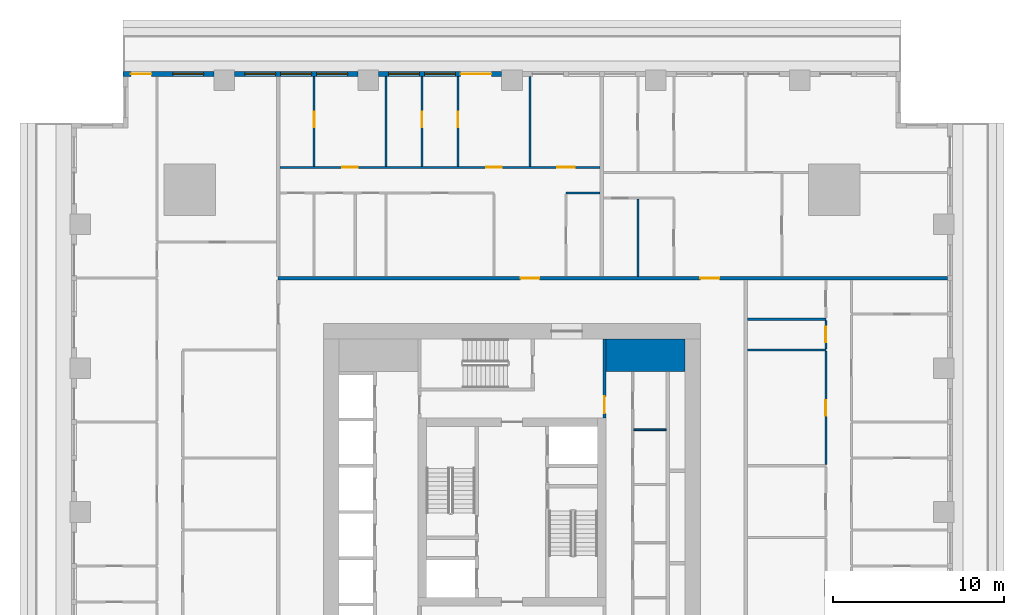
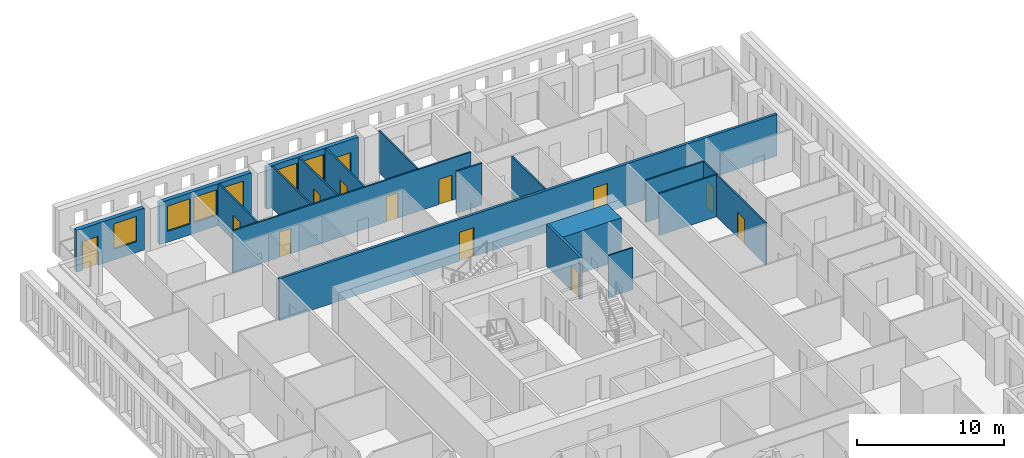
# One storey, part 8 of 15: 19 walls, 13 doors, 6 windows, 19 openings.
"""IFC4 building model written with IfcOpenShell, lengths in metres."""

from ifc_helpers import new_model, si_unit, direction, frame, frame_2d, origin, place, context, subcontext, project, spatial, rectangle, extrude, material, layer, layer_set, type_object, element, fill, save


model = new_model("IFC4")

# Units and contexts
model_context = context("Model", 3, precision=1e-05, world=origin(), true_north=direction((0.0, 1.0)))
body_context = subcontext(model_context, "Body", "Model", "MODEL_VIEW")
ifc_project = project(units=[si_unit("LENGTHUNIT", "METRE"), si_unit("AREAUNIT", "SQUARE_METRE"), si_unit("VOLUMEUNIT", "CUBIC_METRE"), si_unit("PLANEANGLEUNIT", "RADIAN"), si_unit("MASSUNIT", "GRAM", prefix="KILO")], contexts=[model_context])

# Site, building, storey
site_placement = place(None, origin())
site = spatial("IfcSite", under=ifc_project, at=site_placement, CompositionType="ELEMENT")
building_placement = place(site_placement, origin())
building = spatial("IfcBuilding", under=site, at=building_placement, Name="Khepri Terraces", CompositionType="ELEMENT")
storey_placement = place(building_placement, frame((0.0, 0.0, 38.699951171875)))
storey = spatial("IfcBuildingStorey", under=building, at=storey_placement, Name="L08", CompositionType="ELEMENT", Elevation=38.699951171875)

# Walls
ifc_material_1 = material(Name="Concrete C80/95", Category="concrete")
ifc_layer_1 = layer(ifc_material_1, 1.89990234375, Name="Concrete C80/95", Category="concrete")
ifc_layer_set_1 = layer_set([ifc_layer_1], Name="Concrete C80/95")
wall_type_1 = type_object("IfcWallType", Name="Core wall 1900 C80/95", PredefinedType="SHEAR", material=ifc_layer_set_1)
wall_1_placement = place(storey_placement, frame((5.5, 9.14990234375, 0.0), z_axis=(0.0, 0.0, 1.0), x_axis=(1.0, 0.0, 0.0)))
element("IfcWall", 1, at=wall_1_placement, inside=storey, type_object=wall_type_1, Name="Core wall PR04 L08", PredefinedType="SHEAR", context=body_context, shape_type="SweptSolid", body=[
    extrude(rectangle(XDim=4.60009765625, YDim=1.89990234375, at=frame_2d((2.300048828125, 0.0))), origin(), (0.0, 0.0, 1.0), 3.47998046875),
])
ifc_material_2 = material(Name="Fire-rated gypsum board partition")
ifc_layer_2 = layer(ifc_material_2, 0.10009765625, Name="Fire-rated gypsum board partition")
ifc_layer_set_2 = layer_set([ifc_layer_2], Name="Fire-rated gypsum board partition")
wall_type_2 = type_object("IfcWallType", Name="WL-CORE-PART-100", PredefinedType="PARTITIONING", material=ifc_layer_set_2)
wall_2_placement = place(storey_placement, frame((7.10009765625, 4.800048828125, 0.0), z_axis=(0.0, 0.0, 1.0), x_axis=(1.0, 0.0, 0.0)))
element("IfcWall", 2, at=wall_2_placement, inside=storey, type_object=wall_type_2, Name="Core partition PT07 L08", PredefinedType="PARTITIONING", context=body_context, shape_type="SweptSolid", body=[
    extrude(rectangle(XDim=1.89990234375, YDim=0.10009765625, at=frame_2d((0.949951171875, 0.0))), origin(), (0.0, 0.0, 1.0), 3.47998046875),
])

# Wall, opening, door
ifc_layer_3 = layer(ifc_material_2, 0.199951171875, Name="Fire-rated gypsum board partition")
ifc_layer_set_3 = layer_set([ifc_layer_3], Name="Fire-rated gypsum board partition")
wall_type_3 = type_object("IfcWallType", Name="WL-CORE-PART-200", PredefinedType="PARTITIONING", material=ifc_layer_set_3)
wall_3_placement = place(storey_placement, frame((5.39990234375, 5.5, 0.0), z_axis=(0.0, 0.0, 1.0), x_axis=(0.0, 1.0, 0.0)))
wall_3 = element("IfcWall", 3, at=wall_3_placement, inside=storey, type_object=wall_type_3, Name="Core partition PT09 L08", PredefinedType="PARTITIONING", context=body_context, shape_type="SweptSolid", body=[
    extrude(rectangle(XDim=4.60009765625, YDim=0.199951171875, at=frame_2d((2.300048828125, 0.0))), origin(), (0.0, 0.0, 1.0), 3.47998046875),
])
opening_1_placement = place(wall_3_placement, frame((0.25, 0.0, 0.0)))
opening_1 = element("IfcOpeningElement", 4, at=opening_1_placement, cuts=wall_3, Name="Opening L08-C17", PredefinedType="OPENING", context=body_context, shape_type="SweptSolid", body=[
    extrude(rectangle(XDim=1.0, YDim=2.10009765625, at=frame_2d((0.5, 1.050048828125))), frame((0.0, 0.10986328125, 0.0), z_axis=(0.0, -1.0, 0.0), x_axis=(1.0, 0.0, 0.0)), (0.0, 0.0, 1.0), 0.219970703125),
])
ifc_material_3 = material(Name="Painted steel", Category="steel")
door_type_1 = type_object("IfcDoorType", Name="DR-CORE-LOBBY-1000", OperationType="NOTDEFINED", PredefinedType="DOOR", material=ifc_material_3)
door_1_placement = place(opening_1_placement, origin())
door_1 = element("IfcDoor", 5, at=door_1_placement, inside=storey, type_object=door_type_1, Name="Lobby door L08-C17", OperationType="SINGLE_SWING_LEFT", OverallHeight=2.10009765625, OverallWidth=1.0, PredefinedType="DOOR", context=body_context, shape_type="SweptSolid", body=[
    extrude(rectangle(XDim=1.0, YDim=2.10009765625, at=frame_2d((0.5, 1.050048828125))), frame((0.0, 0.02490234375, 0.0), z_axis=(0.0, -1.0, 0.0), x_axis=(1.0, 0.0, 0.0)), (0.0, 0.0, 1.0), 0.050048828125),
])
fill(opening_1, door_1)

# Wall, openings, doors
ifc_material_4 = material(Name="Fire-rated gypsum plasterboard partition, mineral wool")
ifc_layer_4 = layer(ifc_material_4, 0.199951171875, Name="Fire-rated gypsum plasterboard partition, mineral wool")
ifc_layer_set_4 = layer_set([ifc_layer_4], Name="Fire-rated gypsum plasterboard partition, mineral wool")
wall_type_4 = type_object("IfcWallType", Name="WL-CORR-200", PredefinedType="PARTITIONING", material=ifc_layer_set_4)
wall_4_placement = place(storey_placement, frame((-13.64990234375, 13.64990234375, 0.0), z_axis=(0.0, 0.0, 1.0), x_axis=(1.0, 0.0, 0.0)))
wall_4 = element("IfcWall", 6, at=wall_4_placement, inside=storey, type_object=wall_type_4, Name="Partition P-074 L08", PredefinedType="PARTITIONING", context=body_context, shape_type="SweptSolid", body=[
    extrude(rectangle(XDim=39.06982421875, YDim=0.199951171875, at=frame_2d((19.534912109375, 0.0))), origin(), (0.0, 0.0, 1.0), 3.47998046875),
])
opening_2_placement = place(wall_4_placement, frame((24.64990234375, 0.0, 0.0)))
opening_2 = element("IfcOpeningElement", 7, at=opening_2_placement, cuts=wall_4, Name="Opening D1", PredefinedType="OPENING", context=body_context, shape_type="SweptSolid", body=[
    extrude(rectangle(XDim=1.10009765625, YDim=2.39990234375, at=frame_2d((0.550048828125, 1.199951171875))), frame((0.0, 0.10986328125, 0.0), z_axis=(0.0, -1.0, 0.0), x_axis=(1.0, 0.0, 0.0)), (0.0, 0.0, 1.0), 0.219970703125),
])
opening_3_placement = place(wall_4_placement, frame((14.14990234375, 0.0, 0.0)))
opening_3 = element("IfcOpeningElement", 8, at=opening_3_placement, cuts=wall_4, Name="Opening D1", PredefinedType="OPENING", context=body_context, shape_type="SweptSolid", body=[
    extrude(rectangle(XDim=1.10009765625, YDim=2.39990234375, at=frame_2d((0.550048828125, 1.199951171875))), frame((0.0, 0.10986328125, 0.0), z_axis=(0.0, -1.0, 0.0), x_axis=(1.0, 0.0, 0.0)), (0.0, 0.0, 1.0), 0.219970703125),
])
ifc_material_5 = material(Name="Solid-core timber door leaf, flat entrance door", Category="wood")
door_type_2 = type_object("IfcDoorType", Name="DR-ENT-1100", OperationType="NOTDEFINED", PredefinedType="DOOR", material=ifc_material_5)
door_2_placement = place(opening_2_placement, origin())
door_2 = element("IfcDoor", 9, at=door_2_placement, inside=storey, type_object=door_type_2, Name="Flat C1 entrance door", OperationType="SINGLE_SWING_RIGHT", OverallHeight=2.39990234375, OverallWidth=1.10009765625, PredefinedType="DOOR", context=body_context, shape_type="SweptSolid", body=[
    extrude(rectangle(XDim=1.10009765625, YDim=2.39990234375, at=frame_2d((0.550048828125, 1.199951171875))), frame((0.0, 0.02490234375, 0.0), z_axis=(0.0, -1.0, 0.0), x_axis=(1.0, 0.0, 0.0)), (0.0, 0.0, 1.0), 0.050048828125),
])
fill(opening_2, door_2)
door_3_placement = place(opening_3_placement, origin())
door_3 = element("IfcDoor", 10, at=door_3_placement, inside=storey, type_object=door_type_2, Name="Flat C2 entrance door", OperationType="SINGLE_SWING_LEFT", OverallHeight=2.39990234375, OverallWidth=1.10009765625, PredefinedType="DOOR", context=body_context, shape_type="SweptSolid", body=[
    extrude(rectangle(XDim=1.10009765625, YDim=2.39990234375, at=frame_2d((0.550048828125, 1.199951171875))), frame((0.0, 0.02490234375, 0.0), z_axis=(0.0, -1.0, 0.0), x_axis=(1.0, 0.0, 0.0)), (0.0, 0.0, 1.0), 0.050048828125),
])
fill(opening_3, door_3)

# Wall, openings, door, windows
ifc_material_6 = material(Name="Precast concrete C50/60 warm stone", Category="masonry")
ifc_layer_5 = layer(ifc_material_6, 0.300048828125, Name="Precast concrete C50/60 warm stone", Category="masonry")
ifc_layer_set_5 = layer_set([ifc_layer_5], Name="Precast concrete C50/60 warm stone")
wall_type_5 = type_object("IfcWallType", Name="WL-EXT-PRECAST-300", PredefinedType="STANDARD", material=ifc_layer_set_5)
wall_5_placement = place(storey_placement, frame((-0.60009765625, 25.570068359375, 0.0), z_axis=(0.0, 0.0, 1.0), x_axis=(-1.0, 0.0, 0.0)))
wall_5 = element("IfcWall", 11, at=wall_5_placement, inside=storey, type_object=wall_type_5, Name="External wall L08 N", PredefinedType="STANDARD", context=body_context, shape_type="SweptSolid", body=[
    extrude(rectangle(XDim=7.199951171875, YDim=0.300048828125, at=frame_2d((3.60009765625, 0.0))), origin(), (0.0, 0.0, 1.0), 3.47998046875),
])
opening_4_placement = place(wall_5_placement, frame((0.60009765625, 0.0, 0.0)))
opening_4 = element("IfcOpeningElement", 12, at=opening_4_placement, cuts=wall_5, Name="Opening ED-L08-10", PredefinedType="OPENING", context=body_context, shape_type="SweptSolid", body=[
    extrude(rectangle(XDim=1.800048828125, YDim=2.39990234375, at=frame_2d((0.89990234375, 1.199951171875))), frame((0.0, 0.16015625, 0.0), z_axis=(0.0, -1.0, 0.0), x_axis=(1.0, 0.0, 0.0)), (0.0, 0.0, 1.0), 0.320068359375),
])
opening_5_placement = place(wall_5_placement, frame((2.699951171875, 0.0, 0.89990234375)))
opening_5 = element("IfcOpeningElement", 13, at=opening_5_placement, cuts=wall_5, Name="Opening W1", PredefinedType="OPENING", context=body_context, shape_type="SweptSolid", body=[
    extrude(rectangle(XDim=1.800048828125, YDim=2.10009765625, at=frame_2d((0.89990234375, 1.050048828125))), frame((0.0, 0.16015625, 0.0), z_axis=(0.0, -1.0, 0.0), x_axis=(1.0, 0.0, 0.0)), (0.0, 0.0, 1.0), 0.320068359375),
])
opening_6_placement = place(wall_5_placement, frame((4.800048828125, 0.0, 0.89990234375)))
opening_6 = element("IfcOpeningElement", 14, at=opening_6_placement, cuts=wall_5, Name="Opening W1", PredefinedType="OPENING", context=body_context, shape_type="SweptSolid", body=[
    extrude(rectangle(XDim=1.800048828125, YDim=2.10009765625, at=frame_2d((0.89990234375, 1.050048828125))), frame((0.0, 0.16015625, 0.0), z_axis=(0.0, -1.0, 0.0), x_axis=(1.0, 0.0, 0.0)), (0.0, 0.0, 1.0), 0.320068359375),
])
ifc_material_7 = material(Name="Anodised aluminium bronze glazed door", Category="aluminium")
door_type_3 = type_object("IfcDoorType", Name="DR-BAL-SLIDE-1800x2400", OperationType="NOTDEFINED", PredefinedType="DOOR", material=ifc_material_7)
door_4_placement = place(opening_4_placement, origin())
door_4 = element("IfcDoor", 15, at=door_4_placement, inside=storey, type_object=door_type_3, Name="Balcony door L08 N", OperationType="SLIDING_TO_LEFT", OverallHeight=2.39990234375, OverallWidth=1.800048828125, PredefinedType="DOOR", context=body_context, shape_type="SweptSolid", body=[
    extrude(rectangle(XDim=1.800048828125, YDim=2.39990234375, at=frame_2d((0.89990234375, 1.199951171875))), frame((0.0, 0.02490234375, 0.0), z_axis=(0.0, -1.0, 0.0), x_axis=(1.0, 0.0, 0.0)), (0.0, 0.0, 1.0), 0.050048828125),
])
fill(opening_4, door_4)
ifc_material_8 = material(Name="Clear glass", Category="glass")
window_type = type_object("IfcWindowType", Name="WIN-RES-1800x2100", PartitioningType="SINGLE_PANEL", PredefinedType="WINDOW", material=ifc_material_8)
window_1_placement = place(opening_5_placement, origin())
window_1 = element("IfcWindow", 16, at=window_1_placement, inside=storey, type_object=window_type, Name="Window L08 N", OverallHeight=2.10009765625, OverallWidth=1.800048828125, PartitioningType="SINGLE_PANEL", PredefinedType="WINDOW", context=body_context, shape_type="SweptSolid", body=[
    extrude(rectangle(XDim=1.800048828125, YDim=2.10009765625, at=frame_2d((0.89990234375, 1.050048828125))), frame((0.0, 0.030029296875, 0.0), z_axis=(0.0, -1.0, 0.0), x_axis=(1.0, 0.0, 0.0)), (0.0, 0.0, 1.0), 0.06005859375),
])
fill(opening_5, window_1)
window_2_placement = place(opening_6_placement, origin())
window_2 = element("IfcWindow", 17, at=window_2_placement, inside=storey, type_object=window_type, Name="Window L08 N", OverallHeight=2.10009765625, OverallWidth=1.800048828125, PartitioningType="SINGLE_PANEL", PredefinedType="WINDOW", context=body_context, shape_type="SweptSolid", body=[
    extrude(rectangle(XDim=1.800048828125, YDim=2.10009765625, at=frame_2d((0.89990234375, 1.050048828125))), frame((0.0, 0.030029296875, 0.0), z_axis=(0.0, -1.0, 0.0), x_axis=(1.0, 0.0, 0.0)), (0.0, 0.0, 1.0), 0.06005859375),
])
fill(opening_6, window_2)

# Wall, openings, windows
wall_6_placement = place(storey_placement, frame((-9.0, 25.570068359375, 0.0), z_axis=(0.0, 0.0, 1.0), x_axis=(-1.0, 0.0, 0.0)))
wall_6 = element("IfcWall", 18, at=wall_6_placement, inside=storey, type_object=wall_type_5, Name="External wall L08 N", PredefinedType="STANDARD", context=body_context, shape_type="SweptSolid", body=[
    extrude(rectangle(XDim=7.199951171875, YDim=0.300048828125, at=frame_2d((3.60009765625, 0.0))), origin(), (0.0, 0.0, 1.0), 3.47998046875),
])
opening_7_placement = place(wall_6_placement, frame((0.60009765625, 0.0, 0.89990234375)))
opening_7 = element("IfcOpeningElement", 19, at=opening_7_placement, cuts=wall_6, Name="Opening W1", PredefinedType="OPENING", context=body_context, shape_type="SweptSolid", body=[
    extrude(rectangle(XDim=1.800048828125, YDim=2.10009765625, at=frame_2d((0.89990234375, 1.050048828125))), frame((0.0, 0.16015625, 0.0), z_axis=(0.0, -1.0, 0.0), x_axis=(1.0, 0.0, 0.0)), (0.0, 0.0, 1.0), 0.320068359375),
])
opening_8_placement = place(wall_6_placement, frame((2.699951171875, 0.0, 0.89990234375)))
opening_8 = element("IfcOpeningElement", 20, at=opening_8_placement, cuts=wall_6, Name="Opening W1", PredefinedType="OPENING", context=body_context, shape_type="SweptSolid", body=[
    extrude(rectangle(XDim=1.800048828125, YDim=2.10009765625, at=frame_2d((0.89990234375, 1.050048828125))), frame((0.0, 0.16015625, 0.0), z_axis=(0.0, -1.0, 0.0), x_axis=(1.0, 0.0, 0.0)), (0.0, 0.0, 1.0), 0.320068359375),
])
opening_9_placement = place(wall_6_placement, frame((4.800048828125, 0.0, 0.89990234375)))
opening_9 = element("IfcOpeningElement", 21, at=opening_9_placement, cuts=wall_6, Name="Opening W1", PredefinedType="OPENING", context=body_context, shape_type="SweptSolid", body=[
    extrude(rectangle(XDim=1.800048828125, YDim=2.10009765625, at=frame_2d((0.89990234375, 1.050048828125))), frame((0.0, 0.16015625, 0.0), z_axis=(0.0, -1.0, 0.0), x_axis=(1.0, 0.0, 0.0)), (0.0, 0.0, 1.0), 0.320068359375),
])
window_3_placement = place(opening_7_placement, origin())
window_3 = element("IfcWindow", 22, at=window_3_placement, inside=storey, type_object=window_type, Name="Window L08 N", OverallHeight=2.10009765625, OverallWidth=1.800048828125, PartitioningType="SINGLE_PANEL", PredefinedType="WINDOW", context=body_context, shape_type="SweptSolid", body=[
    extrude(rectangle(XDim=1.800048828125, YDim=2.10009765625, at=frame_2d((0.89990234375, 1.050048828125))), frame((0.0, 0.030029296875, 0.0), z_axis=(0.0, -1.0, 0.0), x_axis=(1.0, 0.0, 0.0)), (0.0, 0.0, 1.0), 0.06005859375),
])
fill(opening_7, window_3)
window_4_placement = place(opening_8_placement, origin())
window_4 = element("IfcWindow", 23, at=window_4_placement, inside=storey, type_object=window_type, Name="Window L08 N", OverallHeight=2.10009765625, OverallWidth=1.800048828125, PartitioningType="SINGLE_PANEL", PredefinedType="WINDOW", context=body_context, shape_type="SweptSolid", body=[
    extrude(rectangle(XDim=1.800048828125, YDim=2.10009765625, at=frame_2d((0.89990234375, 1.050048828125))), frame((0.0, 0.030029296875, 0.0), z_axis=(0.0, -1.0, 0.0), x_axis=(1.0, 0.0, 0.0)), (0.0, 0.0, 1.0), 0.06005859375),
])
fill(opening_8, window_4)
window_5_placement = place(opening_9_placement, origin())
window_5 = element("IfcWindow", 24, at=window_5_placement, inside=storey, type_object=window_type, Name="Window L08 N", OverallHeight=2.10009765625, OverallWidth=1.800048828125, PartitioningType="SINGLE_PANEL", PredefinedType="WINDOW", context=body_context, shape_type="SweptSolid", body=[
    extrude(rectangle(XDim=1.800048828125, YDim=2.10009765625, at=frame_2d((0.89990234375, 1.050048828125))), frame((0.0, 0.030029296875, 0.0), z_axis=(0.0, -1.0, 0.0), x_axis=(1.0, 0.0, 0.0)), (0.0, 0.0, 1.0), 0.06005859375),
])
fill(opening_9, window_5)

# Wall, openings, door, window
wall_7_placement = place(storey_placement, frame((-17.39990234375, 25.570068359375, 0.0), z_axis=(0.0, 0.0, 1.0), x_axis=(-1.0, 0.0, 0.0)))
wall_7 = element("IfcWall", 25, at=wall_7_placement, inside=storey, type_object=wall_type_5, Name="External wall L08 N", PredefinedType="STANDARD", context=body_context, shape_type="SweptSolid", body=[
    extrude(rectangle(XDim=5.320068359375, YDim=0.300048828125, at=frame_2d((2.66015625, 0.0))), origin(), (0.0, 0.0, 1.0), 3.47998046875),
])
opening_10_placement = place(wall_7_placement, frame((0.60009765625, 0.0, 0.89990234375)))
opening_10 = element("IfcOpeningElement", 26, at=opening_10_placement, cuts=wall_7, Name="Opening W1", PredefinedType="OPENING", context=body_context, shape_type="SweptSolid", body=[
    extrude(rectangle(XDim=1.800048828125, YDim=2.10009765625, at=frame_2d((0.89990234375, 1.050048828125))), frame((0.0, 0.16015625, 0.0), z_axis=(0.0, -1.0, 0.0), x_axis=(1.0, 0.0, 0.0)), (0.0, 0.0, 1.0), 0.320068359375),
])
opening_11_placement = place(wall_7_placement, frame((3.64501953125, 0.0, 0.0)))
opening_11 = element("IfcOpeningElement", 27, at=opening_11_placement, cuts=wall_7, Name="Opening ED-L08-11", PredefinedType="OPENING", context=body_context, shape_type="SweptSolid", body=[
    extrude(rectangle(XDim=1.199951171875, YDim=2.39990234375, at=frame_2d((0.60009765625, 1.199951171875))), frame((0.0, 0.16015625, 0.0), z_axis=(0.0, -1.0, 0.0), x_axis=(1.0, 0.0, 0.0)), (0.0, 0.0, 1.0), 0.320068359375),
])
door_type_4 = type_object("IfcDoorType", Name="DR-BAL-SLIDE-1200x2400", OperationType="NOTDEFINED", PredefinedType="DOOR", material=ifc_material_7)
door_5_placement = place(opening_11_placement, origin())
door_5 = element("IfcDoor", 28, at=door_5_placement, inside=storey, type_object=door_type_4, Name="Balcony door L08 N", OperationType="SLIDING_TO_RIGHT", OverallHeight=2.39990234375, OverallWidth=1.199951171875, PredefinedType="DOOR", context=body_context, shape_type="SweptSolid", body=[
    extrude(rectangle(XDim=1.199951171875, YDim=2.39990234375, at=frame_2d((0.60009765625, 1.199951171875))), frame((0.0, 0.02490234375, 0.0), z_axis=(0.0, -1.0, 0.0), x_axis=(1.0, 0.0, 0.0)), (0.0, 0.0, 1.0), 0.050048828125),
])
fill(opening_11, door_5)
window_6_placement = place(opening_10_placement, origin())
window_6 = element("IfcWindow", 29, at=window_6_placement, inside=storey, type_object=window_type, Name="Window L08 N", OverallHeight=2.10009765625, OverallWidth=1.800048828125, PartitioningType="SINGLE_PANEL", PredefinedType="WINDOW", context=body_context, shape_type="SweptSolid", body=[
    extrude(rectangle(XDim=1.800048828125, YDim=2.10009765625, at=frame_2d((0.89990234375, 1.050048828125))), frame((0.0, 0.030029296875, 0.0), z_axis=(0.0, -1.0, 0.0), x_axis=(1.0, 0.0, 0.0)), (0.0, 0.0, 1.0), 0.06005859375),
])
fill(opening_10, window_6)

# Wall, opening, door
ifc_material_9 = material(Name="Gypsum plasterboard partition")
ifc_layer_6 = layer(ifc_material_9, 0.1201171875, Name="Gypsum plasterboard partition")
ifc_layer_set_6 = layer_set([ifc_layer_6], Name="Gypsum plasterboard partition")
wall_type_6 = type_object("IfcWallType", Name="WL-PART-120", PredefinedType="PARTITIONING", material=ifc_layer_set_6)
wall_8_placement = place(storey_placement, frame((18.320068359375, 2.760009765625, 0.0), z_axis=(0.0, 0.0, 1.0), x_axis=(0.0, 1.0, 0.0)))
wall_8 = element("IfcWall", 30, at=wall_8_placement, inside=storey, type_object=wall_type_6, Name="Partition P-057 L08", PredefinedType="PARTITIONING", context=body_context, shape_type="SweptSolid", body=[
    extrude(rectangle(XDim=6.6298828125, YDim=0.1201171875, at=frame_2d((3.31494140625, 0.0))), origin(), (0.0, 0.0, 1.0), 3.47998046875),
])
opening_12_placement = place(wall_8_placement, frame((2.864990234375, 0.0, 0.0)))
opening_12 = element("IfcOpeningElement", 31, at=opening_12_placement, cuts=wall_8, Name="Opening D3", PredefinedType="OPENING", context=body_context, shape_type="SweptSolid", body=[
    extrude(rectangle(XDim=0.89990234375, YDim=2.10009765625, at=frame_2d((0.449951171875, 1.050048828125))), frame((0.0, 0.070068359375, 0.0), z_axis=(0.0, -1.0, 0.0), x_axis=(1.0, 0.0, 0.0)), (0.0, 0.0, 1.0), 0.14013671875),
])
ifc_material_10 = material(Name="Timber door leaf", Category="wood")
door_type_5 = type_object("IfcDoorType", Name="DR-INT-900", OperationType="NOTDEFINED", PredefinedType="DOOR", material=ifc_material_10)
door_6_placement = place(opening_12_placement, origin())
door_6 = element("IfcDoor", 32, at=door_6_placement, inside=storey, type_object=door_type_5, Name="Door Staff Bedroom", OperationType="SINGLE_SWING_LEFT", OverallHeight=2.10009765625, OverallWidth=0.89990234375, PredefinedType="DOOR", context=body_context, shape_type="SweptSolid", body=[
    extrude(rectangle(XDim=0.89990234375, YDim=2.10009765625, at=frame_2d((0.449951171875, 1.050048828125))), frame((0.0, 0.02490234375, 0.0), z_axis=(0.0, -1.0, 0.0), x_axis=(1.0, 0.0, 0.0)), (0.0, 0.0, 1.0), 0.050048828125),
])
fill(opening_12, door_6)

# Wall
wall_9_placement = place(storey_placement, frame((13.75, 9.449951171875, 0.0), z_axis=(0.0, 0.0, 1.0), x_axis=(1.0, 0.0, 0.0)))
element("IfcWall", 33, at=wall_9_placement, inside=storey, type_object=wall_type_6, Name="Partition P-067 L08", PredefinedType="PARTITIONING", context=body_context, shape_type="SweptSolid", body=[
    extrude(rectangle(XDim=4.570068359375, YDim=0.1201171875, at=frame_2d((2.28515625, 0.0))), origin(), (0.0, 0.0, 1.0), 3.47998046875),
])

# Wall, opening, door
wall_10_placement = place(storey_placement, frame((18.320068359375, 9.510009765625, 0.0), z_axis=(0.0, 0.0, 1.0), x_axis=(0.0, 1.0, 0.0)))
wall_10 = element("IfcWall", 34, at=wall_10_placement, inside=storey, type_object=wall_type_6, Name="Partition P-068 L08", PredefinedType="PARTITIONING", context=body_context, shape_type="SweptSolid", body=[
    extrude(rectangle(XDim=1.679931640625, YDim=0.1201171875, at=frame_2d((0.83984375, 0.0))), origin(), (0.0, 0.0, 1.0), 3.47998046875),
])
opening_13_placement = place(wall_10_placement, frame((0.389892578125, 0.0, 0.0)))
opening_13 = element("IfcOpeningElement", 35, at=opening_13_placement, cuts=wall_10, Name="Opening D4", PredefinedType="OPENING", context=body_context, shape_type="SweptSolid", body=[
    extrude(rectangle(XDim=0.89990234375, YDim=2.10009765625, at=frame_2d((0.449951171875, 1.050048828125))), frame((0.0, 0.070068359375, 0.0), z_axis=(0.0, -1.0, 0.0), x_axis=(1.0, 0.0, 0.0)), (0.0, 0.0, 1.0), 0.14013671875),
])
ifc_material_11 = material(Name="Timber door leaf, moisture resistant", Category="wood")
door_type_6 = type_object("IfcDoorType", Name="DR-WET-900", OperationType="NOTDEFINED", PredefinedType="DOOR", material=ifc_material_11)
door_7_placement = place(opening_13_placement, origin())
door_7 = element("IfcDoor", 36, at=door_7_placement, inside=storey, type_object=door_type_6, Name="Door Guest Bathroom", OperationType="SINGLE_SWING_RIGHT", OverallHeight=2.10009765625, OverallWidth=0.89990234375, PredefinedType="DOOR", context=body_context, shape_type="SweptSolid", body=[
    extrude(rectangle(XDim=0.89990234375, YDim=2.10009765625, at=frame_2d((0.449951171875, 1.050048828125))), frame((0.0, 0.02490234375, 0.0), z_axis=(0.0, -1.0, 0.0), x_axis=(1.0, 0.0, 0.0)), (0.0, 0.0, 1.0), 0.050048828125),
])
fill(opening_13, door_7)

# Walls
wall_11_placement = place(storey_placement, frame((13.75, 11.25, 0.0), z_axis=(0.0, 0.0, 1.0), x_axis=(1.0, 0.0, 0.0)))
element("IfcWall", 37, at=wall_11_placement, inside=storey, type_object=wall_type_6, Name="Partition P-069 L08", PredefinedType="PARTITIONING", context=body_context, shape_type="SweptSolid", body=[
    extrude(rectangle(XDim=4.570068359375, YDim=0.1201171875, at=frame_2d((2.28515625, 0.0))), origin(), (0.0, 0.0, 1.0), 3.47998046875),
])
wall_12_placement = place(storey_placement, frame((7.35009765625, 13.75, 0.0), z_axis=(0.0, 0.0, 1.0), x_axis=(0.0, 1.0, 0.0)))
element("IfcWall", 38, at=wall_12_placement, inside=storey, type_object=wall_type_6, Name="Partition P-083 L08", PredefinedType="PARTITIONING", context=body_context, shape_type="SweptSolid", body=[
    extrude(rectangle(XDim=4.510009765625, YDim=0.1201171875, at=frame_2d((2.2548828125, 0.0))), origin(), (0.0, 0.0, 1.0), 3.47998046875),
])
wall_13_placement = place(storey_placement, frame((3.14990234375, 18.6201171875, 0.0), z_axis=(0.0, 0.0, 1.0), x_axis=(1.0, 0.0, 0.0)))
element("IfcWall", 39, at=wall_13_placement, inside=storey, type_object=wall_type_6, Name="Partition P-090 L08", PredefinedType="PARTITIONING", context=body_context, shape_type="SweptSolid", body=[
    extrude(rectangle(XDim=2.0, YDim=0.1201171875, at=frame_2d((1.0, 0.0))), origin(), (0.0, 0.0, 1.0), 3.47998046875),
])

# Wall, openings, doors
wall_14_placement = place(storey_placement, frame((-13.550048828125, 20.1201171875, 0.0), z_axis=(0.0, 0.0, 1.0), x_axis=(1.0, 0.0, 0.0)))
wall_14 = element("IfcWall", 40, at=wall_14_placement, inside=storey, type_object=wall_type_6, Name="Partition P-096 L08", PredefinedType="PARTITIONING", context=body_context, shape_type="SweptSolid", body=[
    extrude(rectangle(XDim=18.699951171875, YDim=0.1201171875, at=frame_2d((9.35009765625, 0.0))), origin(), (0.0, 0.0, 1.0), 3.47998046875),
])
opening_14_placement = place(wall_14_placement, frame((16.199951171875, 0.0, 0.0)))
opening_14 = element("IfcOpeningElement", 41, at=opening_14_placement, cuts=wall_14, Name="Opening D2", PredefinedType="OPENING", context=body_context, shape_type="SweptSolid", body=[
    extrude(rectangle(XDim=1.0, YDim=2.10009765625, at=frame_2d((0.5, 1.050048828125))), frame((0.0, 0.070068359375, 0.0), z_axis=(0.0, -1.0, 0.0), x_axis=(1.0, 0.0, 0.0)), (0.0, 0.0, 1.0), 0.14013671875),
])
opening_15_placement = place(wall_14_placement, frame((12.050048828125, 0.0, 0.0)))
opening_15 = element("IfcOpeningElement", 42, at=opening_15_placement, cuts=wall_14, Name="Opening D3", PredefinedType="OPENING", context=body_context, shape_type="SweptSolid", body=[
    extrude(rectangle(XDim=0.89990234375, YDim=2.10009765625, at=frame_2d((0.449951171875, 1.050048828125))), frame((0.0, 0.070068359375, 0.0), z_axis=(0.0, -1.0, 0.0), x_axis=(1.0, 0.0, 0.0)), (0.0, 0.0, 1.0), 0.14013671875),
])
opening_16_placement = place(wall_14_placement, frame((3.64990234375, 0.0, 0.0)))
opening_16 = element("IfcOpeningElement", 43, at=opening_16_placement, cuts=wall_14, Name="Opening D3", PredefinedType="OPENING", context=body_context, shape_type="SweptSolid", body=[
    extrude(rectangle(XDim=0.89990234375, YDim=2.10009765625, at=frame_2d((0.449951171875, 1.050048828125))), frame((0.0, 0.070068359375, 0.0), z_axis=(0.0, -1.0, 0.0), x_axis=(1.0, 0.0, 0.0)), (0.0, 0.0, 1.0), 0.14013671875),
])
ifc_material_12 = material(Name="Timber door leaf, living room door", Category="wood")
door_type_7 = type_object("IfcDoorType", Name="DR-INT-1000", OperationType="NOTDEFINED", PredefinedType="DOOR", material=ifc_material_12)
door_8_placement = place(opening_14_placement, origin())
door_8 = element("IfcDoor", 44, at=door_8_placement, inside=storey, type_object=door_type_7, Name="Door Sun Lounge", OperationType="SINGLE_SWING_RIGHT", OverallHeight=2.10009765625, OverallWidth=1.0, PredefinedType="DOOR", context=body_context, shape_type="SweptSolid", body=[
    extrude(rectangle(XDim=1.0, YDim=2.10009765625, at=frame_2d((0.5, 1.050048828125))), frame((0.0, 0.02490234375, 0.0), z_axis=(0.0, -1.0, 0.0), x_axis=(1.0, 0.0, 0.0)), (0.0, 0.0, 1.0), 0.050048828125),
])
fill(opening_14, door_8)
door_9_placement = place(opening_15_placement, origin())
door_9 = element("IfcDoor", 45, at=door_9_placement, inside=storey, type_object=door_type_5, Name="Door Master Bedroom", OperationType="SINGLE_SWING_RIGHT", OverallHeight=2.10009765625, OverallWidth=0.89990234375, PredefinedType="DOOR", context=body_context, shape_type="SweptSolid", body=[
    extrude(rectangle(XDim=0.89990234375, YDim=2.10009765625, at=frame_2d((0.449951171875, 1.050048828125))), frame((0.0, 0.02490234375, 0.0), z_axis=(0.0, -1.0, 0.0), x_axis=(1.0, 0.0, 0.0)), (0.0, 0.0, 1.0), 0.050048828125),
])
fill(opening_15, door_9)
door_10_placement = place(opening_16_placement, origin())
door_10 = element("IfcDoor", 46, at=door_10_placement, inside=storey, type_object=door_type_5, Name="Door Bedroom", OperationType="SINGLE_SWING_LEFT", OverallHeight=2.10009765625, OverallWidth=0.89990234375, PredefinedType="DOOR", context=body_context, shape_type="SweptSolid", body=[
    extrude(rectangle(XDim=0.89990234375, YDim=2.10009765625, at=frame_2d((0.449951171875, 1.050048828125))), frame((0.0, 0.02490234375, 0.0), z_axis=(0.0, -1.0, 0.0), x_axis=(1.0, 0.0, 0.0)), (0.0, 0.0, 1.0), 0.050048828125),
])
fill(opening_16, door_10)

# Wall, opening, door
wall_15_placement = place(storey_placement, frame((-11.550048828125, 20.179931640625, 0.0), z_axis=(0.0, 0.0, 1.0), x_axis=(0.0, 1.0, 0.0)))
wall_15 = element("IfcWall", 47, at=wall_15_placement, inside=storey, type_object=wall_type_6, Name="Partition P-097 L08", PredefinedType="PARTITIONING", context=body_context, shape_type="SweptSolid", body=[
    extrude(rectangle(XDim=5.239990234375, YDim=0.1201171875, at=frame_2d((2.6201171875, 0.0))), origin(), (0.0, 0.0, 1.0), 3.47998046875),
])
opening_17_placement = place(wall_15_placement, frame((2.2900390625, 0.0, 0.0)))
opening_17 = element("IfcOpeningElement", 48, at=opening_17_placement, cuts=wall_15, Name="Opening D4", PredefinedType="OPENING", context=body_context, shape_type="SweptSolid", body=[
    extrude(rectangle(XDim=0.89990234375, YDim=2.10009765625, at=frame_2d((0.449951171875, 1.050048828125))), frame((0.0, 0.070068359375, 0.0), z_axis=(0.0, -1.0, 0.0), x_axis=(1.0, 0.0, 0.0)), (0.0, 0.0, 1.0), 0.14013671875),
])
door_11_placement = place(opening_17_placement, origin())
door_11 = element("IfcDoor", 49, at=door_11_placement, inside=storey, type_object=door_type_6, Name="Door Bathroom", OperationType="SINGLE_SWING_RIGHT", OverallHeight=2.10009765625, OverallWidth=0.89990234375, PredefinedType="DOOR", context=body_context, shape_type="SweptSolid", body=[
    extrude(rectangle(XDim=0.89990234375, YDim=2.10009765625, at=frame_2d((0.449951171875, 1.050048828125))), frame((0.0, 0.02490234375, 0.0), z_axis=(0.0, -1.0, 0.0), x_axis=(1.0, 0.0, 0.0)), (0.0, 0.0, 1.0), 0.050048828125),
])
fill(opening_17, door_11)

# Wall
wall_16_placement = place(storey_placement, frame((-7.35009765625, 20.179931640625, 0.0), z_axis=(0.0, 0.0, 1.0), x_axis=(0.0, 1.0, 0.0)))
element("IfcWall", 50, at=wall_16_placement, inside=storey, type_object=wall_type_6, Name="Partition P-098 L08", PredefinedType="PARTITIONING", context=body_context, shape_type="SweptSolid", body=[
    extrude(rectangle(XDim=5.239990234375, YDim=0.1201171875, at=frame_2d((2.6201171875, 0.0))), origin(), (0.0, 0.0, 1.0), 3.47998046875),
])

# Wall, opening, door
wall_17_placement = place(storey_placement, frame((-5.25, 20.179931640625, 0.0), z_axis=(0.0, 0.0, 1.0), x_axis=(0.0, 1.0, 0.0)))
wall_17 = element("IfcWall", 51, at=wall_17_placement, inside=storey, type_object=wall_type_6, Name="Partition P-099 L08", PredefinedType="PARTITIONING", context=body_context, shape_type="SweptSolid", body=[
    extrude(rectangle(XDim=5.239990234375, YDim=0.1201171875, at=frame_2d((2.6201171875, 0.0))), origin(), (0.0, 0.0, 1.0), 3.47998046875),
])
opening_18_placement = place(wall_17_placement, frame((2.2900390625, 0.0, 0.0)))
opening_18 = element("IfcOpeningElement", 52, at=opening_18_placement, cuts=wall_17, Name="Opening D4", PredefinedType="OPENING", context=body_context, shape_type="SweptSolid", body=[
    extrude(rectangle(XDim=0.89990234375, YDim=2.10009765625, at=frame_2d((0.449951171875, 1.050048828125))), frame((0.0, 0.070068359375, 0.0), z_axis=(0.0, -1.0, 0.0), x_axis=(1.0, 0.0, 0.0)), (0.0, 0.0, 1.0), 0.14013671875),
])
door_12_placement = place(opening_18_placement, origin())
door_12 = element("IfcDoor", 53, at=door_12_placement, inside=storey, type_object=door_type_6, Name="Door Bathroom", OperationType="SINGLE_SWING_RIGHT", OverallHeight=2.10009765625, OverallWidth=0.89990234375, PredefinedType="DOOR", context=body_context, shape_type="SweptSolid", body=[
    extrude(rectangle(XDim=0.89990234375, YDim=2.10009765625, at=frame_2d((0.449951171875, 1.050048828125))), frame((0.0, 0.02490234375, 0.0), z_axis=(0.0, -1.0, 0.0), x_axis=(1.0, 0.0, 0.0)), (0.0, 0.0, 1.0), 0.050048828125),
])
fill(opening_18, door_12)

wall_18_placement = place(storey_placement, frame((-3.14990234375, 20.179931640625, 0.0), z_axis=(0.0, 0.0, 1.0), x_axis=(0.0, 1.0, 0.0)))
wall_18 = element("IfcWall", 54, at=wall_18_placement, inside=storey, type_object=wall_type_6, Name="Partition P-100 L08", PredefinedType="PARTITIONING", context=body_context, shape_type="SweptSolid", body=[
    extrude(rectangle(XDim=5.239990234375, YDim=0.1201171875, at=frame_2d((2.6201171875, 0.0))), origin(), (0.0, 0.0, 1.0), 3.47998046875),
])
opening_19_placement = place(wall_18_placement, frame((2.2900390625, 0.0, 0.0)))
opening_19 = element("IfcOpeningElement", 55, at=opening_19_placement, cuts=wall_18, Name="Opening D3", PredefinedType="OPENING", context=body_context, shape_type="SweptSolid", body=[
    extrude(rectangle(XDim=0.89990234375, YDim=2.10009765625, at=frame_2d((0.449951171875, 1.050048828125))), frame((0.0, 0.070068359375, 0.0), z_axis=(0.0, -1.0, 0.0), x_axis=(1.0, 0.0, 0.0)), (0.0, 0.0, 1.0), 0.14013671875),
])
door_13_placement = place(opening_19_placement, origin())
door_13 = element("IfcDoor", 56, at=door_13_placement, inside=storey, type_object=door_type_5, Name="Door Dressing Room", OperationType="SINGLE_SWING_RIGHT", OverallHeight=2.10009765625, OverallWidth=0.89990234375, PredefinedType="DOOR", context=body_context, shape_type="SweptSolid", body=[
    extrude(rectangle(XDim=0.89990234375, YDim=2.10009765625, at=frame_2d((0.449951171875, 1.050048828125))), frame((0.0, 0.02490234375, 0.0), z_axis=(0.0, -1.0, 0.0), x_axis=(1.0, 0.0, 0.0)), (0.0, 0.0, 1.0), 0.050048828125),
])
fill(opening_19, door_13)

# Wall
wall_19_placement = place(storey_placement, frame((1.050048828125, 20.179931640625, 0.0), z_axis=(0.0, 0.0, 1.0), x_axis=(0.0, 1.0, 0.0)))
element("IfcWall", 57, at=wall_19_placement, inside=storey, type_object=wall_type_6, Name="Partition P-101 L08", PredefinedType="PARTITIONING", context=body_context, shape_type="SweptSolid", body=[
    extrude(rectangle(XDim=5.239990234375, YDim=0.1201171875, at=frame_2d((2.6201171875, 0.0))), origin(), (0.0, 0.0, 1.0), 3.47998046875),
])

save(model, "model.ifc")
